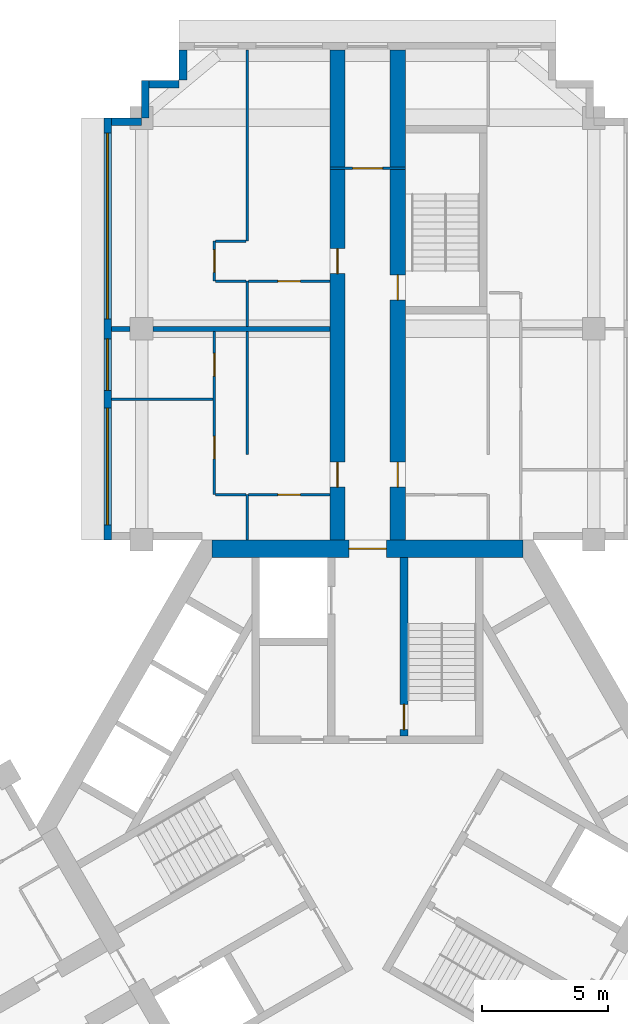
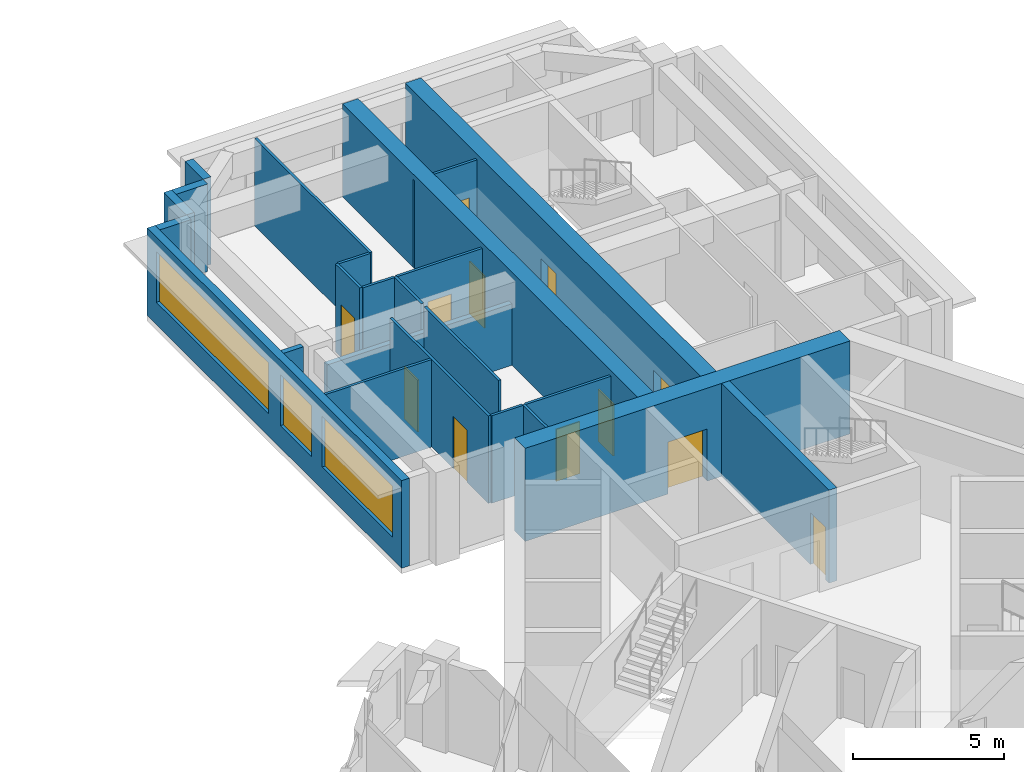
# One storey, part 7 of 11: 24 walls, 12 doors, 3 windows, 15 openings.
"""IFC4 building model written with IfcOpenShell, lengths in metres."""

from ifc_helpers import new_model, si_unit, direction, frame, frame_2d, origin, place, context, subcontext, project, spatial, rectangle, extrude, material, layer, layer_set, type_object, element, fill, save


model = new_model("IFC4")

# Units and contexts
model_context = context("Model", 3, precision=1e-05, world=origin(), true_north=direction((0.0, 1.0)))
body_context = subcontext(model_context, "Body", "Model", "MODEL_VIEW")
ifc_project = project(units=[si_unit("LENGTHUNIT", "METRE"), si_unit("AREAUNIT", "SQUARE_METRE"), si_unit("VOLUMEUNIT", "CUBIC_METRE"), si_unit("PLANEANGLEUNIT", "RADIAN"), si_unit("MASSUNIT", "GRAM", prefix="KILO")], contexts=[model_context])

# Site, building, storey
site_placement = place(None, origin())
site = spatial("IfcSite", under=ifc_project, at=site_placement, CompositionType="ELEMENT")
building_placement = place(site_placement, origin())
building = spatial("IfcBuilding", under=site, at=building_placement, Name="Impinga Residences", CompositionType="ELEMENT")
storey_placement = place(building_placement, frame((0.0, 0.0, 218.5)))
storey = spatial("IfcBuildingStorey", under=building, at=storey_placement, Name="L54", CompositionType="ELEMENT", Elevation=218.5)

# Wall, openings, doors
ifc_material_1 = material(Name="Concrete C60/75", Category="concrete")
ifc_layer_1 = layer(ifc_material_1, 0.60009765625)
ifc_layer_set_1 = layer_set([ifc_layer_1], Name="Concrete C60/75")
wall_type_1 = type_object("IfcWallType", Name="BW3 corridor buttress wall, L46 to L73 600", PredefinedType="SHEAR", material=ifc_layer_set_1)
wall_1_placement = place(storey_placement, frame((-1.199951171875, 11.08154296875, 0.0), z_axis=(0.0, 0.0, 1.0), x_axis=(0.0, 1.0, 0.0)))
wall_1 = element("IfcWall", 1, at=wall_1_placement, inside=storey, type_object=wall_type_1, Name="Corridor wall BW3 NC L54", PredefinedType="SHEAR", context=body_context, shape_type="SweptSolid", body=[
    extrude(rectangle(XDim=19.85009765625, YDim=0.60009765625, at=frame_2d((9.925048828125, 0.0))), origin(), (0.0, 0.0, 1.0), 3.75),
])
opening_1_placement = place(wall_1_placement, frame((2.449951171875, 0.0, 0.0)))
opening_1 = element("IfcOpeningElement", 2, at=opening_1_placement, cuts=wall_1, Name="Opening D1", PredefinedType="OPENING", context=body_context, shape_type="SweptSolid", body=[
    extrude(rectangle(XDim=1.0, YDim=2.10009765625, at=frame_2d((0.5, 1.050048828125))), frame((0.0, 0.31005859375, 0.0), z_axis=(0.0, -1.0, 0.0), x_axis=(1.0, 0.0, 0.0)), (0.0, 0.0, 1.0), 0.6201171875),
])
opening_2_placement = place(wall_1_placement, frame((10.949951171875, 0.0, 0.0)))
opening_2 = element("IfcOpeningElement", 3, at=opening_2_placement, cuts=wall_1, Name="Opening D1", PredefinedType="OPENING", context=body_context, shape_type="SweptSolid", body=[
    extrude(rectangle(XDim=1.0, YDim=2.10009765625, at=frame_2d((0.5, 1.050048828125))), frame((0.0, 0.31005859375, 0.0), z_axis=(0.0, -1.0, 0.0), x_axis=(1.0, 0.0, 0.0)), (0.0, 0.0, 1.0), 0.6201171875),
])
ifc_material_2 = material(Name="Timber door set", Category="wood")
door_type_1 = type_object("IfcDoorType", Name="D1 apartment entrance door 1000x2100", OperationType="SINGLE_SWING_LEFT", PredefinedType="DOOR", material=ifc_material_2)
door_1_placement = place(opening_1_placement, origin())
door_1 = element("IfcDoor", 4, at=door_1_placement, inside=storey, type_object=door_type_1, Name="Apartment L54-NA1 entrance", OperationType="SINGLE_SWING_LEFT", OverallHeight=2.10009765625, OverallWidth=1.0, PredefinedType="DOOR", context=body_context, shape_type="SweptSolid", body=[
    extrude(rectangle(XDim=1.0, YDim=2.10009765625, at=frame_2d((0.5, 1.050048828125))), frame((0.0, 0.02490234375, 0.0), z_axis=(0.0, -1.0, 0.0), x_axis=(1.0, 0.0, 0.0)), (0.0, 0.0, 1.0), 0.050048828125),
])
fill(opening_1, door_1)
door_2_placement = place(opening_2_placement, origin())
door_2 = element("IfcDoor", 5, at=door_2_placement, inside=storey, type_object=door_type_1, Name="Apartment L54-NA2 entrance", OperationType="SINGLE_SWING_RIGHT", OverallHeight=2.10009765625, OverallWidth=1.0, PredefinedType="DOOR", context=body_context, shape_type="SweptSolid", body=[
    extrude(rectangle(XDim=1.0, YDim=2.10009765625, at=frame_2d((0.5, 1.050048828125))), frame((0.0, 0.02490234375, 0.0), z_axis=(0.0, -1.0, 0.0), x_axis=(1.0, 0.0, 0.0)), (0.0, 0.0, 1.0), 0.050048828125),
])
fill(opening_2, door_2)

wall_2_placement = place(storey_placement, frame((1.199951171875, 11.08154296875, 0.0), z_axis=(0.0, 0.0, 1.0), x_axis=(0.0, 1.0, 0.0)))
wall_2 = element("IfcWall", 6, at=wall_2_placement, inside=storey, type_object=wall_type_1, Name="Corridor wall BW3 ND L54", PredefinedType="SHEAR", context=body_context, shape_type="SweptSolid", body=[
    extrude(rectangle(XDim=19.85009765625, YDim=0.60009765625, at=frame_2d((9.925048828125, 0.0))), origin(), (0.0, 0.0, 1.0), 3.75),
])
opening_3_placement = place(wall_2_placement, frame((9.89990234375, 0.0, 0.0)))
opening_3 = element("IfcOpeningElement", 7, at=opening_3_placement, cuts=wall_2, Name="Opening D5", PredefinedType="OPENING", context=body_context, shape_type="SweptSolid", body=[
    extrude(rectangle(XDim=1.0, YDim=2.10009765625, at=frame_2d((0.5, 1.050048828125))), frame((0.0, 0.31005859375, 0.0), z_axis=(0.0, -1.0, 0.0), x_axis=(1.0, 0.0, 0.0)), (0.0, 0.0, 1.0), 0.6201171875),
])
opening_4_placement = place(wall_2_placement, frame((2.449951171875, 0.0, 0.0)))
opening_4 = element("IfcOpeningElement", 8, at=opening_4_placement, cuts=wall_2, Name="Opening D1", PredefinedType="OPENING", context=body_context, shape_type="SweptSolid", body=[
    extrude(rectangle(XDim=1.0, YDim=2.10009765625, at=frame_2d((0.5, 1.050048828125))), frame((0.0, 0.31005859375, 0.0), z_axis=(0.0, -1.0, 0.0), x_axis=(1.0, 0.0, 0.0)), (0.0, 0.0, 1.0), 0.6201171875),
])
door_3_placement = place(opening_4_placement, origin())
door_3 = element("IfcDoor", 9, at=door_3_placement, inside=storey, type_object=door_type_1, Name="Apartment L54-NF1 entrance", OperationType="SINGLE_SWING_LEFT", OverallHeight=2.10009765625, OverallWidth=1.0, PredefinedType="DOOR", context=body_context, shape_type="SweptSolid", body=[
    extrude(rectangle(XDim=1.0, YDim=2.10009765625, at=frame_2d((0.5, 1.050048828125))), frame((0.0, 0.02490234375, 0.0), z_axis=(0.0, -1.0, 0.0), x_axis=(1.0, 0.0, 0.0)), (0.0, 0.0, 1.0), 0.050048828125),
])
fill(opening_4, door_3)
door_type_2 = type_object("IfcDoorType", Name="D5 stair door 1000x2100", OperationType="SINGLE_SWING_LEFT", PredefinedType="DOOR", material=ifc_material_2)
door_4_placement = place(opening_3_placement, origin())
door_4 = element("IfcDoor", 10, at=door_4_placement, inside=storey, type_object=door_type_2, Name="Wing stair door N", OperationType="SINGLE_SWING_RIGHT", OverallHeight=2.10009765625, OverallWidth=1.0, PredefinedType="DOOR", context=body_context, shape_type="SweptSolid", body=[
    extrude(rectangle(XDim=1.0, YDim=2.10009765625, at=frame_2d((0.5, 1.050048828125))), frame((0.0, 0.02490234375, 0.0), z_axis=(0.0, -1.0, 0.0), x_axis=(1.0, 0.0, 0.0)), (0.0, 0.0, 1.0), 0.050048828125),
])
fill(opening_3, door_4)

# Wall, opening, door
ifc_material_3 = material(Name="Concrete blockwork", Category="masonry")
ifc_layer_2 = layer(ifc_material_3, 0.10009765625)
ifc_layer_set_2 = layer_set([ifc_layer_2], Name="CP1 core room partition, blockwork 100")
wall_type_2 = type_object("IfcWallType", Name="CP1 core room partition, blockwork 100", PredefinedType="PARTITIONING", material=ifc_layer_set_2)
wall_3_placement = place(storey_placement, frame((-1.5, 26.2314453125, 0.0), z_axis=(0.0, 0.0, 1.0), x_axis=(1.0, 0.0, 0.0)))
wall_3 = element("IfcWall", 11, at=wall_3_placement, inside=storey, type_object=wall_type_2, Name="Core room partition, blockwork L54:N:LNG", PredefinedType="PARTITIONING", context=body_context, shape_type="SweptSolid", body=[
    extrude(rectangle(XDim=3.0, YDim=0.10009765625, at=frame_2d((1.5, 0.0))), origin(), (0.0, 0.0, 1.0), 3.530029296875),
])
opening_5_placement = place(wall_3_placement, frame((0.89990234375, 0.0, 0.0)))
opening_5 = element("IfcOpeningElement", 12, at=opening_5_placement, cuts=wall_3, Name="Opening D3", PredefinedType="OPENING", context=body_context, shape_type="SweptSolid", body=[
    extrude(rectangle(XDim=1.199951171875, YDim=2.10009765625, at=frame_2d((0.60009765625, 1.050048828125))), frame((0.0, 0.06005859375, 0.0), z_axis=(0.0, -1.0, 0.0), x_axis=(1.0, 0.0, 0.0)), (0.0, 0.0, 1.0), 0.1201171875),
])
door_type_3 = type_object("IfcDoorType", Name="D3 room door, leaf and a half 1200x2100", OperationType="DOUBLE_SWING_LEFT", PredefinedType="DOOR", material=ifc_material_2)
door_5_placement = place(opening_5_placement, origin())
door_5 = element("IfcDoor", 13, at=door_5_placement, inside=storey, type_object=door_type_3, Name="Residents' lounge door N", OperationType="DOUBLE_SWING_LEFT", OverallHeight=2.10009765625, OverallWidth=1.199951171875, PredefinedType="DOOR", context=body_context, shape_type="SweptSolid", body=[
    extrude(rectangle(XDim=1.199951171875, YDim=2.10009765625, at=frame_2d((0.60009765625, 1.050048828125))), frame((0.0, 0.02490234375, 0.0), z_axis=(0.0, -1.0, 0.0), x_axis=(1.0, 0.0, 0.0)), (0.0, 0.0, 1.0), 0.050048828125),
])
fill(opening_5, door_5)

# Wall, openings, windows
ifc_material_4 = material(Name="Terracotta rainscreen on blockwork", Category="masonry")
ifc_layer_3 = layer(ifc_material_4, 0.300048828125)
ifc_layer_set_3 = layer_set([ifc_layer_3], Name="EW1 external wall, terracotta rainscreen on blockwork 300")
wall_type_3 = type_object("IfcWallType", Name="EW1 external wall, terracotta rainscreen on blockwork 300", PredefinedType="SOLIDWALL", material=ifc_layer_set_3)
wall_4_placement = place(storey_placement, frame((-10.35009765625, 11.431640625, 0.0), z_axis=(0.0, 0.0, 1.0), x_axis=(0.0, 1.0, 0.0)))
wall_4 = element("IfcWall", 14, at=wall_4_placement, inside=storey, type_object=wall_type_3, Name="External wall EW1 L54", PredefinedType="SOLIDWALL", context=body_context, shape_type="SweptSolid", body=[
    extrude(rectangle(XDim=16.7998046875, YDim=0.300048828125, at=frame_2d((8.39990234375, 0.0))), origin(), (0.0, 0.0, 1.0), 3.530029296875),
])
opening_6_placement = place(wall_4_placement, frame((0.60009765625, 0.0, 0.89990234375)))
opening_6 = element("IfcOpeningElement", 15, at=opening_6_placement, cuts=wall_4, Name="Opening W10", PredefinedType="OPENING", context=body_context, shape_type="SweptSolid", body=[
    extrude(rectangle(XDim=4.64990234375, YDim=2.050048828125, at=frame_2d((2.324951171875, 1.02490234375))), frame((0.0, 0.159912109375, 0.0), z_axis=(0.0, -1.0, 0.0), x_axis=(1.0, 0.0, 0.0)), (0.0, 0.0, 1.0), 0.320068359375),
])
opening_7_placement = place(wall_4_placement, frame((5.949951171875, 0.0, 0.89990234375)))
opening_7 = element("IfcOpeningElement", 16, at=opening_7_placement, cuts=wall_4, Name="Opening W14", PredefinedType="OPENING", context=body_context, shape_type="SweptSolid", body=[
    extrude(rectangle(XDim=2.050048828125, YDim=2.050048828125, at=frame_2d((1.02490234375, 1.02490234375))), frame((0.0, 0.159912109375, 0.0), z_axis=(0.0, -1.0, 0.0), x_axis=(1.0, 0.0, 0.0)), (0.0, 0.0, 1.0), 0.320068359375),
])
opening_8_placement = place(wall_4_placement, frame((8.800048828125, 0.0, 0.89990234375)))
opening_8 = element("IfcOpeningElement", 17, at=opening_8_placement, cuts=wall_4, Name="Opening W12", PredefinedType="OPENING", context=body_context, shape_type="SweptSolid", body=[
    extrude(rectangle(XDim=7.39990234375, YDim=2.050048828125, at=frame_2d((3.699951171875, 1.02490234375))), frame((0.0, 0.159912109375, 0.0), z_axis=(0.0, -1.0, 0.0), x_axis=(1.0, 0.0, 0.0)), (0.0, 0.0, 1.0), 0.320068359375),
])
ifc_material_5 = material(Name="Aluminium window, clear double glazing", Category="aluminium")
window_type_1 = type_object("IfcWindowType", Name="W10 ribbon window 4650x2050", PartitioningType="SINGLE_PANEL", PredefinedType="WINDOW", material=ifc_material_5)
window_1_placement = place(opening_6_placement, origin())
window_1 = element("IfcWindow", 18, at=window_1_placement, inside=storey, type_object=window_type_1, Name="Window L54", OverallHeight=2.050048828125, OverallWidth=4.64990234375, PartitioningType="SINGLE_PANEL", PredefinedType="WINDOW", context=body_context, shape_type="SweptSolid", body=[
    extrude(rectangle(XDim=4.64990234375, YDim=2.050048828125, at=frame_2d((2.324951171875, 1.02490234375))), frame((0.0, 0.030029296875, 0.0), z_axis=(0.0, -1.0, 0.0), x_axis=(1.0, 0.0, 0.0)), (0.0, 0.0, 1.0), 0.06005859375),
])
fill(opening_6, window_1)
window_type_2 = type_object("IfcWindowType", Name="W12 ribbon window 7400x2050", PartitioningType="SINGLE_PANEL", PredefinedType="WINDOW", material=ifc_material_5)
window_2_placement = place(opening_8_placement, origin())
window_2 = element("IfcWindow", 19, at=window_2_placement, inside=storey, type_object=window_type_2, Name="Window L54", OverallHeight=2.050048828125, OverallWidth=7.39990234375, PartitioningType="SINGLE_PANEL", PredefinedType="WINDOW", context=body_context, shape_type="SweptSolid", body=[
    extrude(rectangle(XDim=7.39990234375, YDim=2.050048828125, at=frame_2d((3.699951171875, 1.02490234375))), frame((0.0, 0.030029296875, 0.0), z_axis=(0.0, -1.0, 0.0), x_axis=(1.0, 0.0, 0.0)), (0.0, 0.0, 1.0), 0.06005859375),
])
fill(opening_8, window_2)
window_type_3 = type_object("IfcWindowType", Name="W14 ribbon window 2050x2050", PartitioningType="SINGLE_PANEL", PredefinedType="WINDOW", material=ifc_material_5)
window_3_placement = place(opening_7_placement, origin())
window_3 = element("IfcWindow", 20, at=window_3_placement, inside=storey, type_object=window_type_3, Name="Window L54", OverallHeight=2.050048828125, OverallWidth=2.050048828125, PartitioningType="SINGLE_PANEL", PredefinedType="WINDOW", context=body_context, shape_type="SweptSolid", body=[
    extrude(rectangle(XDim=2.050048828125, YDim=2.050048828125, at=frame_2d((1.02490234375, 1.02490234375))), frame((0.0, 0.030029296875, 0.0), z_axis=(0.0, -1.0, 0.0), x_axis=(1.0, 0.0, 0.0)), (0.0, 0.0, 1.0), 0.06005859375),
])
fill(opening_7, window_3)

# Walls
wall_5_placement = place(storey_placement, frame((-10.199951171875, 28.08154296875, 0.0), z_axis=(0.0, 0.0, 1.0), x_axis=(1.0, 0.0, 0.0)))
element("IfcWall", 21, at=wall_5_placement, inside=storey, type_object=wall_type_3, Name="External wall EW1 L54", PredefinedType="SOLIDWALL", context=body_context, shape_type="SweptSolid", body=[
    extrude(rectangle(XDim=1.199951171875, YDim=0.300048828125, at=frame_2d((0.60009765625, 0.0))), origin(), (0.0, 0.0, 1.0), 3.530029296875),
])
wall_6_placement = place(storey_placement, frame((-8.85009765625, 28.236572265625, 0.0), z_axis=(0.0, 0.0, 1.0), x_axis=(0.0, 1.0, 0.0)))
element("IfcWall", 22, at=wall_6_placement, inside=storey, type_object=wall_type_3, Name="External wall EW1 L54", PredefinedType="SOLIDWALL", context=body_context, shape_type="SweptSolid", body=[
    extrude(rectangle(XDim=1.494873046875, YDim=0.300048828125, at=frame_2d((0.74755859375, 0.0))), origin(), (0.0, 0.0, 1.0), 3.530029296875),
])
wall_7_placement = place(storey_placement, frame((-8.699951171875, 29.58154296875, 0.0), z_axis=(0.0, 0.0, 1.0), x_axis=(1.0, 0.0, 0.0)))
element("IfcWall", 23, at=wall_7_placement, inside=storey, type_object=wall_type_3, Name="External wall EW1 L54", PredefinedType="SOLIDWALL", context=body_context, shape_type="SweptSolid", body=[
    extrude(rectangle(XDim=1.199951171875, YDim=0.300048828125, at=frame_2d((0.60009765625, 0.0))), origin(), (0.0, 0.0, 1.0), 3.530029296875),
])
wall_8_placement = place(storey_placement, frame((-7.35009765625, 29.736572265625, 0.0), z_axis=(0.0, 0.0, 1.0), x_axis=(0.0, 1.0, 0.0)))
element("IfcWall", 24, at=wall_8_placement, inside=storey, type_object=wall_type_3, Name="External wall EW1 L54", PredefinedType="SOLIDWALL", context=body_context, shape_type="SweptSolid", body=[
    extrude(rectangle(XDim=1.195068359375, YDim=0.300048828125, at=frame_2d((0.59765625, 0.0))), origin(), (0.0, 0.0, 1.0), 3.530029296875),
])
ifc_material_6 = material(Name="Gypsum board on steel studs", Category="steel")
ifc_layer_4 = layer(ifc_material_6, 0.10009765625)
ifc_layer_set_4 = layer_set([ifc_layer_4], Name="Gypsum board on steel studs")
wall_type_4 = type_object("IfcWallType", Name="IP1 partition 100", PredefinedType="PARTITIONING", material=ifc_layer_set_4)
wall_9_placement = place(storey_placement, frame((-4.800048828125, 11.431640625, 0.0), z_axis=(0.0, 0.0, 1.0), x_axis=(0.0, 1.0, 0.0)))
element("IfcWall", 25, at=wall_9_placement, inside=storey, type_object=wall_type_4, Name="Partition L54-NA1:DIV0", PredefinedType="PARTITIONING", context=body_context, shape_type="SweptSolid", body=[
    extrude(rectangle(XDim=1.7998046875, YDim=0.10009765625, at=frame_2d((0.89990234375, 0.0))), origin(), (0.0, 0.0, 1.0), 3.530029296875),
])
wall_10_placement = place(storey_placement, frame((-4.800048828125, 14.83154296875, 0.0), z_axis=(0.0, 0.0, 1.0), x_axis=(0.0, 1.0, 0.0)))
element("IfcWall", 26, at=wall_10_placement, inside=storey, type_object=wall_type_4, Name="Partition L54-NA1:DIV1", PredefinedType="PARTITIONING", context=body_context, shape_type="SweptSolid", body=[
    extrude(rectangle(XDim=4.89990234375, YDim=0.10009765625, at=frame_2d((2.449951171875, 0.0))), origin(), (0.0, 0.0, 1.0), 3.530029296875),
])

# Wall, openings, doors
wall_11_placement = place(storey_placement, frame((-6.10009765625, 13.2314453125, 0.0), z_axis=(0.0, 0.0, 1.0), x_axis=(0.0, 1.0, 0.0)))
wall_11 = element("IfcWall", 27, at=wall_11_placement, inside=storey, type_object=wall_type_4, Name="Partition L54-NA1:STRIP", PredefinedType="PARTITIONING", context=body_context, shape_type="SweptSolid", body=[
    extrude(rectangle(XDim=6.5, YDim=0.10009765625, at=frame_2d((3.25, 0.0))), origin(), (0.0, 0.0, 1.0), 3.530029296875),
])
opening_9_placement = place(wall_11_placement, frame((1.425048828125, 0.0, 0.0)))
opening_9 = element("IfcOpeningElement", 28, at=opening_9_placement, cuts=wall_11, Name="Opening D2", PredefinedType="OPENING", context=body_context, shape_type="SweptSolid", body=[
    extrude(rectangle(XDim=0.89990234375, YDim=2.10009765625, at=frame_2d((0.449951171875, 1.050048828125))), frame((0.0, 0.06005859375, 0.0), z_axis=(0.0, -1.0, 0.0), x_axis=(1.0, 0.0, 0.0)), (0.0, 0.0, 1.0), 0.1201171875),
])
opening_10_placement = place(wall_11_placement, frame((4.72509765625, 0.0, 0.0)))
opening_10 = element("IfcOpeningElement", 29, at=opening_10_placement, cuts=wall_11, Name="Opening D2", PredefinedType="OPENING", context=body_context, shape_type="SweptSolid", body=[
    extrude(rectangle(XDim=0.89990234375, YDim=2.10009765625, at=frame_2d((0.449951171875, 1.050048828125))), frame((0.0, 0.06005859375, 0.0), z_axis=(0.0, -1.0, 0.0), x_axis=(1.0, 0.0, 0.0)), (0.0, 0.0, 1.0), 0.1201171875),
])
door_type_4 = type_object("IfcDoorType", Name="D2 internal door 900x2100", OperationType="SINGLE_SWING_LEFT", PredefinedType="DOOR", material=ifc_material_2)
door_6_placement = place(opening_9_placement, origin())
door_6 = element("IfcDoor", 30, at=door_6_placement, inside=storey, type_object=door_type_4, Name="Apartment L54-NA1 room door", OperationType="SINGLE_SWING_LEFT", OverallHeight=2.10009765625, OverallWidth=0.89990234375, PredefinedType="DOOR", context=body_context, shape_type="SweptSolid", body=[
    extrude(rectangle(XDim=0.89990234375, YDim=2.10009765625, at=frame_2d((0.449951171875, 1.050048828125))), frame((0.0, 0.02490234375, 0.0), z_axis=(0.0, -1.0, 0.0), x_axis=(1.0, 0.0, 0.0)), (0.0, 0.0, 1.0), 0.050048828125),
])
fill(opening_9, door_6)
door_7_placement = place(opening_10_placement, origin())
door_7 = element("IfcDoor", 31, at=door_7_placement, inside=storey, type_object=door_type_4, Name="Apartment L54-NA1 room door", OperationType="SINGLE_SWING_RIGHT", OverallHeight=2.10009765625, OverallWidth=0.89990234375, PredefinedType="DOOR", context=body_context, shape_type="SweptSolid", body=[
    extrude(rectangle(XDim=0.89990234375, YDim=2.10009765625, at=frame_2d((0.449951171875, 1.050048828125))), frame((0.0, 0.02490234375, 0.0), z_axis=(0.0, -1.0, 0.0), x_axis=(1.0, 0.0, 0.0)), (0.0, 0.0, 1.0), 0.050048828125),
])
fill(opening_10, door_7)

# Wall
wall_12_placement = place(storey_placement, frame((-4.85009765625, 13.2314453125, 0.0), z_axis=(0.0, 0.0, 1.0), x_axis=(-1.0, 0.0, 0.0)))
element("IfcWall", 32, at=wall_12_placement, inside=storey, type_object=wall_type_4, Name="Partition L54-NA1:SE0", PredefinedType="PARTITIONING", context=body_context, shape_type="SweptSolid", body=[
    extrude(rectangle(XDim=1.199951171875, YDim=0.10009765625, at=frame_2d((0.60009765625, 0.0))), origin(), (0.0, 0.0, 1.0), 3.530029296875),
])

# Wall, opening, door
wall_13_placement = place(storey_placement, frame((-1.5, 13.2314453125, 0.0), z_axis=(0.0, 0.0, 1.0), x_axis=(-1.0, 0.0, 0.0)))
wall_13 = element("IfcWall", 33, at=wall_13_placement, inside=storey, type_object=wall_type_4, Name="Partition L54-NA1:IB1", PredefinedType="PARTITIONING", context=body_context, shape_type="SweptSolid", body=[
    extrude(rectangle(XDim=3.25, YDim=0.10009765625, at=frame_2d((1.625, 0.0))), origin(), (0.0, 0.0, 1.0), 3.530029296875),
])
opening_11_placement = place(wall_13_placement, frame((1.175048828125, 0.0, 0.0)))
opening_11 = element("IfcOpeningElement", 34, at=opening_11_placement, cuts=wall_13, Name="Opening D2", PredefinedType="OPENING", context=body_context, shape_type="SweptSolid", body=[
    extrude(rectangle(XDim=0.89990234375, YDim=2.10009765625, at=frame_2d((0.449951171875, 1.050048828125))), frame((0.0, 0.06005859375, 0.0), z_axis=(0.0, -1.0, 0.0), x_axis=(1.0, 0.0, 0.0)), (0.0, 0.0, 1.0), 0.1201171875),
])
door_8_placement = place(opening_11_placement, origin())
door_8 = element("IfcDoor", 35, at=door_8_placement, inside=storey, type_object=door_type_4, Name="Apartment L54-NA1 bathroom door", OperationType="SINGLE_SWING_LEFT", OverallHeight=2.10009765625, OverallWidth=0.89990234375, PredefinedType="DOOR", context=body_context, shape_type="SweptSolid", body=[
    extrude(rectangle(XDim=0.89990234375, YDim=2.10009765625, at=frame_2d((0.449951171875, 1.050048828125))), frame((0.0, 0.02490234375, 0.0), z_axis=(0.0, -1.0, 0.0), x_axis=(1.0, 0.0, 0.0)), (0.0, 0.0, 1.0), 0.050048828125),
])
fill(opening_11, door_8)

# Walls
wall_14_placement = place(storey_placement, frame((-6.14990234375, 17.031494140625, 0.0), z_axis=(0.0, 0.0, 1.0), x_axis=(-1.0, 0.0, 0.0)))
element("IfcWall", 36, at=wall_14_placement, inside=storey, type_object=wall_type_4, Name="Partition L54-NA1:OB1", PredefinedType="PARTITIONING", context=body_context, shape_type="SweptSolid", body=[
    extrude(rectangle(XDim=4.050048828125, YDim=0.10009765625, at=frame_2d((2.02490234375, 0.0))), origin(), (0.0, 0.0, 1.0), 3.530029296875),
])
wall_15_placement = place(storey_placement, frame((-4.800048828125, 19.931640625, 0.0), z_axis=(0.0, 0.0, 1.0), x_axis=(0.0, 1.0, 0.0)))
element("IfcWall", 37, at=wall_15_placement, inside=storey, type_object=wall_type_4, Name="Partition L54-NA2:DIV0", PredefinedType="PARTITIONING", context=body_context, shape_type="SweptSolid", body=[
    extrude(rectangle(XDim=1.7998046875, YDim=0.10009765625, at=frame_2d((0.89990234375, 0.0))), origin(), (0.0, 0.0, 1.0), 3.530029296875),
])
wall_16_placement = place(storey_placement, frame((-4.800048828125, 23.33154296875, 0.0), z_axis=(0.0, 0.0, 1.0), x_axis=(0.0, 1.0, 0.0)))
element("IfcWall", 38, at=wall_16_placement, inside=storey, type_object=wall_type_4, Name="Partition L54-NA2:DIV1", PredefinedType="PARTITIONING", context=body_context, shape_type="SweptSolid", body=[
    extrude(rectangle(XDim=7.60009765625, YDim=0.10009765625, at=frame_2d((3.800048828125, 0.0))), origin(), (0.0, 0.0, 1.0), 3.530029296875),
])

# Wall, opening, door
wall_17_placement = place(storey_placement, frame((-6.10009765625, 21.7314453125, 0.0), z_axis=(0.0, 0.0, 1.0), x_axis=(0.0, 1.0, 0.0)))
wall_17 = element("IfcWall", 39, at=wall_17_placement, inside=storey, type_object=wall_type_4, Name="Partition L54-NA2:STRIP", PredefinedType="PARTITIONING", context=body_context, shape_type="SweptSolid", body=[
    extrude(rectangle(XDim=1.60009765625, YDim=0.10009765625, at=frame_2d((0.800048828125, 0.0))), origin(), (0.0, 0.0, 1.0), 3.530029296875),
])
opening_12_placement = place(wall_17_placement, frame((0.35009765625, 0.0, 0.0)))
opening_12 = element("IfcOpeningElement", 40, at=opening_12_placement, cuts=wall_17, Name="Opening D2", PredefinedType="OPENING", context=body_context, shape_type="SweptSolid", body=[
    extrude(rectangle(XDim=0.89990234375, YDim=2.10009765625, at=frame_2d((0.449951171875, 1.050048828125))), frame((0.0, 0.06005859375, 0.0), z_axis=(0.0, -1.0, 0.0), x_axis=(1.0, 0.0, 0.0)), (0.0, 0.0, 1.0), 0.1201171875),
])
door_9_placement = place(opening_12_placement, origin())
door_9 = element("IfcDoor", 41, at=door_9_placement, inside=storey, type_object=door_type_4, Name="Apartment L54-NA2 room door", OperationType="SINGLE_SWING_LEFT", OverallHeight=2.10009765625, OverallWidth=0.89990234375, PredefinedType="DOOR", context=body_context, shape_type="SweptSolid", body=[
    extrude(rectangle(XDim=0.89990234375, YDim=2.10009765625, at=frame_2d((0.449951171875, 1.050048828125))), frame((0.0, 0.02490234375, 0.0), z_axis=(0.0, -1.0, 0.0), x_axis=(1.0, 0.0, 0.0)), (0.0, 0.0, 1.0), 0.050048828125),
])
fill(opening_12, door_9)

# Walls
for number, where, z_axis, x_axis, name in (
    (42, (-4.85009765625, 21.7314453125, 0.0), (0.0, 0.0, 1.0), (-1.0, 0.0, 0.0), "Partition L54-NA2:SE0"),
    (43, (-4.85009765625, 23.33154296875, 0.0), (0.0, 0.0, 1.0), (-1.0, 0.0, 0.0), "Partition L54-NA2:SE1"),
):
    element("IfcWall", number, at=place(storey_placement, frame(where, z_axis=z_axis, x_axis=x_axis)), inside=storey, type_object=wall_type_4, Name=name, PredefinedType="PARTITIONING", context=body_context, shape_type="SweptSolid", body=[
        extrude(rectangle(XDim=1.199951171875, YDim=0.10009765625, at=frame_2d((0.60009765625, 0.0))), origin(), (0.0, 0.0, 1.0), 3.530029296875),
    ])

# Wall, opening, door
wall_18_placement = place(storey_placement, frame((-1.5, 21.7314453125, 0.0), z_axis=(0.0, 0.0, 1.0), x_axis=(-1.0, 0.0, 0.0)))
wall_18 = element("IfcWall", 44, at=wall_18_placement, inside=storey, type_object=wall_type_4, Name="Partition L54-NA2:IB1", PredefinedType="PARTITIONING", context=body_context, shape_type="SweptSolid", body=[
    extrude(rectangle(XDim=3.25, YDim=0.10009765625, at=frame_2d((1.625, 0.0))), origin(), (0.0, 0.0, 1.0), 3.530029296875),
])
opening_13_placement = place(wall_18_placement, frame((1.175048828125, 0.0, 0.0)))
opening_13 = element("IfcOpeningElement", 45, at=opening_13_placement, cuts=wall_18, Name="Opening D2", PredefinedType="OPENING", context=body_context, shape_type="SweptSolid", body=[
    extrude(rectangle(XDim=0.89990234375, YDim=2.10009765625, at=frame_2d((0.449951171875, 1.050048828125))), frame((0.0, 0.06005859375, 0.0), z_axis=(0.0, -1.0, 0.0), x_axis=(1.0, 0.0, 0.0)), (0.0, 0.0, 1.0), 0.1201171875),
])
door_10_placement = place(opening_13_placement, origin())
door_10 = element("IfcDoor", 46, at=door_10_placement, inside=storey, type_object=door_type_4, Name="Apartment L54-NA2 bathroom door", OperationType="SINGLE_SWING_LEFT", OverallHeight=2.10009765625, OverallWidth=0.89990234375, PredefinedType="DOOR", context=body_context, shape_type="SweptSolid", body=[
    extrude(rectangle(XDim=0.89990234375, YDim=2.10009765625, at=frame_2d((0.449951171875, 1.050048828125))), frame((0.0, 0.02490234375, 0.0), z_axis=(0.0, -1.0, 0.0), x_axis=(1.0, 0.0, 0.0)), (0.0, 0.0, 1.0), 0.050048828125),
])
fill(opening_13, door_10)

# Walls
ifc_layer_5 = layer(ifc_material_3, 0.199951171875)
ifc_layer_set_5 = layer_set([ifc_layer_5], Name="PW1 party wall between apartments 200")
wall_type_5 = type_object("IfcWallType", Name="PW1 party wall between apartments 200", PredefinedType="SOLIDWALL", material=ifc_layer_set_5)
wall_19_placement = place(storey_placement, frame((-1.5, 19.83154296875, 0.0), z_axis=(0.0, 0.0, 1.0), x_axis=(-1.0, 0.0, 0.0)))
element("IfcWall", 47, at=wall_19_placement, inside=storey, type_object=wall_type_5, Name="Party wall between apartments L54-NA1:PARTY", PredefinedType="SOLIDWALL", context=body_context, shape_type="SweptSolid", body=[
    extrude(rectangle(XDim=7.050048828125, YDim=0.199951171875, at=frame_2d((3.52490234375, 0.0))), origin(), (0.0, 0.0, 1.0), 2.47998046875),
])
wall_20_placement = place(storey_placement, frame((-9.449951171875, 19.83154296875, 0.0), z_axis=(0.0, 0.0, 1.0), x_axis=(-1.0, 0.0, 0.0)))
element("IfcWall", 48, at=wall_20_placement, inside=storey, type_object=wall_type_5, Name="Party wall between apartments L54-NA1:PARTYb", PredefinedType="SOLIDWALL", context=body_context, shape_type="SweptSolid", body=[
    extrude(rectangle(XDim=0.75, YDim=0.199951171875, at=frame_2d((0.375, 0.0))), origin(), (0.0, 0.0, 1.0), 3.530029296875),
])

# Wall, opening, door
ifc_layer_6 = layer(ifc_material_1, 0.699951171875)
ifc_layer_set_6 = layer_set([ifc_layer_6], Name="Concrete C60/75")
wall_type_6 = type_object("IfcWallType", Name="SW3 core wall 700", PredefinedType="SHEAR", material=ifc_layer_set_6)
wall_21_placement = place(storey_placement, frame((-6.19580078125, 11.08154296875, 0.0), z_axis=(0.0, 0.0, 1.0), x_axis=(1.0, 0.0, 0.0)))
wall_21 = element("IfcWall", 49, at=wall_21_placement, inside=storey, type_object=wall_type_6, Name="Core wall SW3 N:FACE L54", PredefinedType="SHEAR", context=body_context, shape_type="SweptSolid", body=[
    extrude(rectangle(XDim=12.3916015625, YDim=0.699951171875, at=frame_2d((6.19580078125, 0.0))), origin(), (0.0, 0.0, 1.0), 3.75),
])
opening_14_placement = place(wall_21_placement, frame((5.44580078125, 0.0, 0.0)))
opening_14 = element("IfcOpeningElement", 50, at=opening_14_placement, cuts=wall_21, Name="Opening D4", PredefinedType="OPENING", context=body_context, shape_type="SweptSolid", body=[
    extrude(rectangle(XDim=1.5, YDim=2.10009765625, at=frame_2d((0.75, 1.050048828125))), frame((0.0, 0.35986328125, 0.0), z_axis=(0.0, -1.0, 0.0), x_axis=(1.0, 0.0, 0.0)), (0.0, 0.0, 1.0), 0.719970703125),
])
door_type_5 = type_object("IfcDoorType", Name="D4 lobby door pair 1500x2100", OperationType="DOUBLE_DOOR_DOUBLE_SWING", PredefinedType="DOOR", material=ifc_material_2)
door_11_placement = place(opening_14_placement, origin())
door_11 = element("IfcDoor", 51, at=door_11_placement, inside=storey, type_object=door_type_5, Name="Lobby door N", OperationType="DOUBLE_DOOR_DOUBLE_SWING", OverallHeight=2.10009765625, OverallWidth=1.5, PredefinedType="DOOR", context=body_context, shape_type="SweptSolid", body=[
    extrude(rectangle(XDim=1.5, YDim=2.10009765625, at=frame_2d((0.75, 1.050048828125))), frame((0.0, 0.02490234375, 0.0), z_axis=(0.0, -1.0, 0.0), x_axis=(1.0, 0.0, 0.0)), (0.0, 0.0, 1.0), 0.050048828125),
])
fill(opening_14, door_11)

ifc_material_7 = material(Name="Concrete C70/85", Category="concrete")
ifc_layer_7 = layer(ifc_material_7, 0.300048828125)
ifc_layer_set_7 = layer_set([ifc_layer_7], Name="Concrete C70/85")
wall_type_7 = type_object("IfcWallType", Name="SW5 core inner wall, stairs, shafts and lobbies 300", PredefinedType="SHEAR", material=ifc_layer_set_7)
wall_22_placement = place(storey_placement, frame((1.449951171875, 3.6298828125, 0.0), z_axis=(0.0, 0.0, 1.0), x_axis=(0.0, 1.0, 0.0)))
wall_22 = element("IfcWall", 52, at=wall_22_placement, inside=storey, type_object=wall_type_7, Name="Core wall SW5 N:ST-IN L54", PredefinedType="SHEAR", context=body_context, shape_type="SweptSolid", body=[
    extrude(rectangle(XDim=7.1015625, YDim=0.300048828125, at=frame_2d((3.55078125, 0.0))), origin(), (0.0, 0.0, 1.0), 3.75),
])
opening_15_placement = place(wall_22_placement, frame((0.25, 0.0, 0.0)))
opening_15 = element("IfcOpeningElement", 53, at=opening_15_placement, cuts=wall_22, Name="Opening D5", PredefinedType="OPENING", context=body_context, shape_type="SweptSolid", body=[
    extrude(rectangle(XDim=1.0, YDim=2.10009765625, at=frame_2d((0.5, 1.050048828125))), frame((0.0, 0.159912109375, 0.0), z_axis=(0.0, -1.0, 0.0), x_axis=(1.0, 0.0, 0.0)), (0.0, 0.0, 1.0), 0.320068359375),
])
door_12_placement = place(opening_15_placement, origin())
door_12 = element("IfcDoor", 54, at=door_12_placement, inside=storey, type_object=door_type_2, Name="Stair door N", OperationType="SINGLE_SWING_LEFT", OverallHeight=2.10009765625, OverallWidth=1.0, PredefinedType="DOOR", context=body_context, shape_type="SweptSolid", body=[
    extrude(rectangle(XDim=1.0, YDim=2.10009765625, at=frame_2d((0.5, 1.050048828125))), frame((0.0, 0.02490234375, 0.0), z_axis=(0.0, -1.0, 0.0), x_axis=(1.0, 0.0, 0.0)), (0.0, 0.0, 1.0), 0.050048828125),
])
fill(opening_15, door_12)

save(model, "model.ifc")
